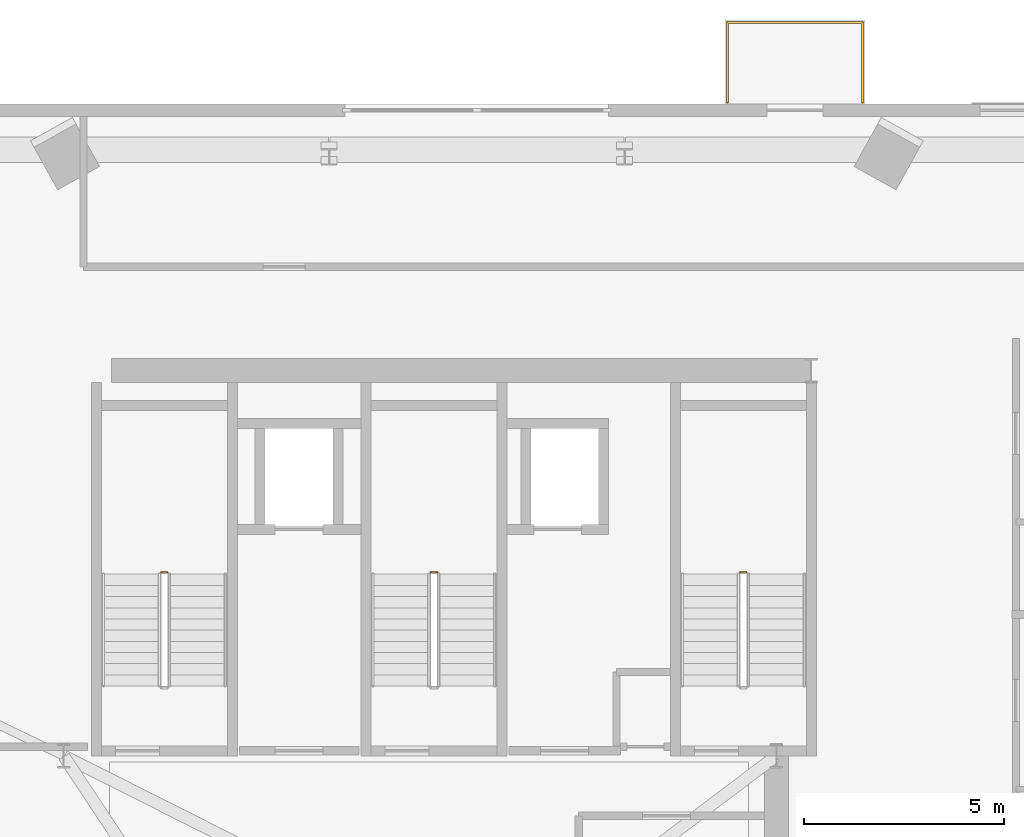
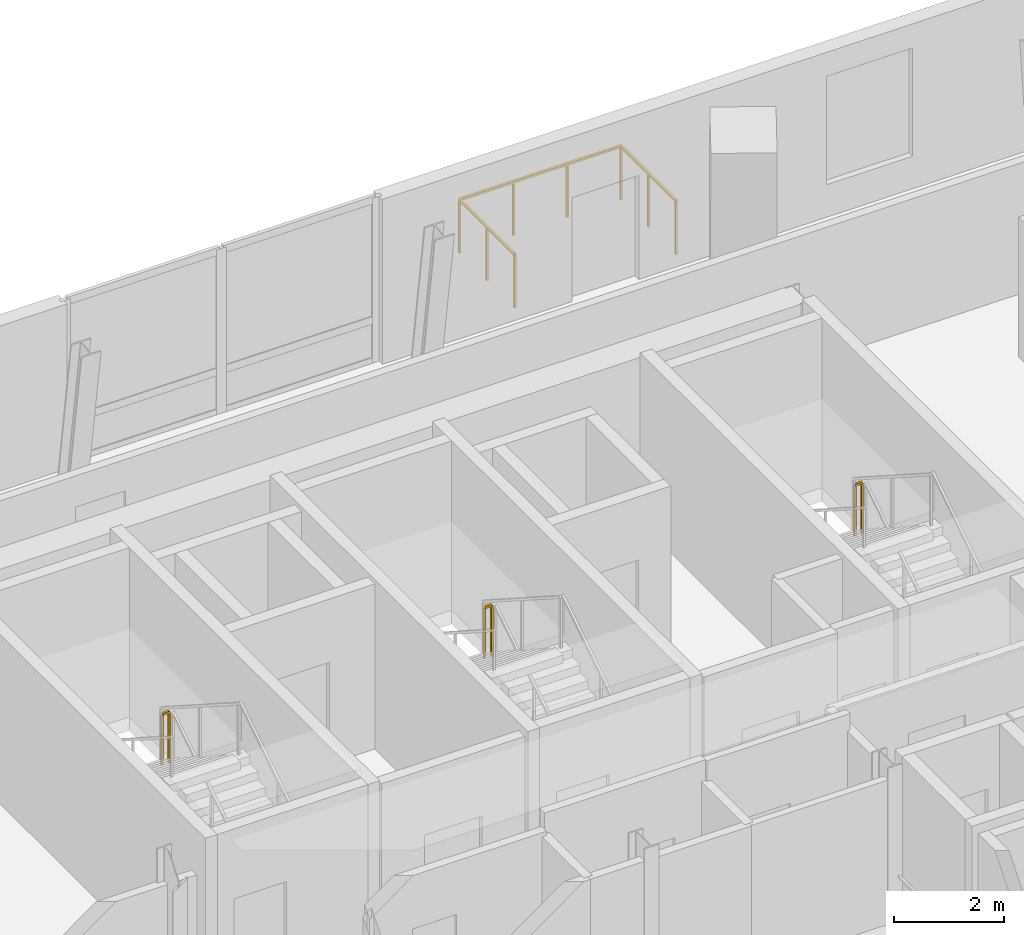
# One storey, part 14 of 14: 4 railings.
"""IFC4 building model written with IfcOpenShell, lengths in metres."""

from ifc_helpers import new_model, si_unit, direction, frame, origin, origin_2d, place, context, subcontext, project, spatial, rectangle, extrude, source, transform, mapped, material, type_object, element, save


model = new_model("IFC4")

# Units and contexts
model_context = context("Model", 3, precision=1e-05, world=origin(), true_north=direction((0.0, 1.0)))
body_context = subcontext(model_context, "Body", "Model", "MODEL_VIEW")
ifc_project = project(units=[si_unit("LENGTHUNIT", "METRE"), si_unit("AREAUNIT", "SQUARE_METRE"), si_unit("VOLUMEUNIT", "CUBIC_METRE"), si_unit("PLANEANGLEUNIT", "RADIAN"), si_unit("MASSUNIT", "GRAM", prefix="KILO")], contexts=[model_context])

# Site, building, storey
site_placement = place(None, origin())
site = spatial("IfcSite", under=ifc_project, at=site_placement, CompositionType="ELEMENT")
building_placement = place(site_placement, origin())
building = spatial("IfcBuilding", under=site, at=building_placement, Name="Vardaveli Station Tower", CompositionType="ELEMENT")
storey_placement = place(building_placement, frame((0.0, 0.0, 266.39990234375)))
storey = spatial("IfcBuildingStorey", under=building, at=storey_placement, Name="L68", CompositionType="ELEMENT", Elevation=266.39990234375)

# Railings
ifc_material_1 = material(Name="Laminated glass and stainless steel balustrade", Category="steel")
railing_type_1 = type_object("IfcRailingType", Name="RL-BAL-1200", PredefinedType="BALUSTRADE", material=ifc_material_1)
shared_shape_1 = source(origin(), body_context, "Body", "SweptSolid", [
    extrude(rectangle(XDim=0.048095703125, YDim=0.048095703125, at=origin_2d()), frame((0.0, 0.0, 1.17578125), z_axis=(0.0, 1.0, 0.0), x_axis=(-1.0, 0.0, 0.0)), (0.0, 0.0, 1.0), 2.0),
    extrude(rectangle(XDim=0.048095703125, YDim=0.048095703125, at=origin_2d()), frame((0.0, 2.0, 1.17578125), z_axis=(1.0, 0.0, 0.0), x_axis=(0.0, 1.0, 0.0)), (0.0, 0.0, 1.0), 3.3798828125),
    extrude(rectangle(XDim=0.048095703125, YDim=0.048095703125, at=origin_2d()), frame((3.3798828125, 2.0, 1.17578125), z_axis=(0.0, -1.0, 0.0), x_axis=(1.0, 0.0, 0.0)), (0.0, 0.0, 1.0), 2.0),
    extrude(rectangle(XDim=0.0419921875, YDim=0.0419921875, at=origin_2d()), origin(), (0.0, 0.0, 1.0), 1.15185546875),
    extrude(rectangle(XDim=0.0419921875, YDim=0.0419921875, at=origin_2d()), frame((0.0, 1.0, 0.0)), (0.0, 0.0, 1.0), 1.15185546875),
    extrude(rectangle(XDim=0.0419921875, YDim=0.0419921875, at=origin_2d()), frame((0.0, 2.0, 0.0)), (0.0, 0.0, 1.0), 1.15185546875),
    extrude(rectangle(XDim=0.0419921875, YDim=0.0419921875, at=origin_2d()), frame((1.126708984375, 2.0, 0.0)), (0.0, 0.0, 1.0), 1.15185546875),
    extrude(rectangle(XDim=0.0419921875, YDim=0.0419921875, at=origin_2d()), frame((2.253173828125, 2.0, 0.0)), (0.0, 0.0, 1.0), 1.15185546875),
    extrude(rectangle(XDim=0.0419921875, YDim=0.0419921875, at=origin_2d()), frame((3.3798828125, 2.0, 0.0)), (0.0, 0.0, 1.0), 1.15185546875),
    extrude(rectangle(XDim=0.0419921875, YDim=0.0419921875, at=origin_2d()), frame((3.3798828125, 1.0, 0.0)), (0.0, 0.0, 1.0), 1.15185546875),
    extrude(rectangle(XDim=0.0419921875, YDim=0.0419921875, at=origin_2d()), frame((3.3798828125, 0.0, 0.0)), (0.0, 0.0, 1.0), 1.15185546875),
])
railing_placement = place(storey_placement, frame((45.277587890625, 47.02001953125, 0.0)))
element("IfcRailing", 1, at=railing_placement, inside=storey, type_object=railing_type_1, Name="RL-LOG-L68-02", PredefinedType="BALUSTRADE", context=body_context, shape_type="MappedRepresentation", body=[
    mapped(shared_shape_1, transform((0.0, 0.0, 0.0), scale=1.0)),
])
ifc_material_2 = material(Name="Brushed AISI 316 stainless steel", Category="steel")
railing_type_2 = type_object("IfcRailingType", Name="RL-GUARD-1150", PredefinedType="GUARDRAIL", material=ifc_material_2)
shared_shape_2 = source(origin(), body_context, "Body", "SweptSolid", [
    extrude(rectangle(XDim=0.048095703125, YDim=0.048095703125, at=origin_2d()), frame((0.0, 0.0, 1.1259765625), z_axis=(-1.0, 0.0, 0.0), x_axis=(0.0, -1.0, 0.0)), (0.0, 0.0, 1.0), 0.14990234375),
    extrude(rectangle(XDim=0.0419921875, YDim=0.0419921875, at=origin_2d()), origin(), (0.0, 0.0, 1.0), 1.101806640625),
    extrude(rectangle(XDim=0.0419921875, YDim=0.0419921875, at=origin_2d()), frame((-0.14990234375, 0.0, 0.0)), (0.0, 0.0, 1.0), 1.101806640625),
])
for number, where, name in (
    (2, (31.25, 35.25, 1.97509765625), "L68 ST-1 stair guard 2"),
    (3, (38.0, 35.25, 1.97509765625), "L68 ST-2 stair guard 2"),
    (4, (45.75, 35.25, 1.97509765625), "L68 ST-3 stair guard 2"),
):
    element("IfcRailing", number, at=place(storey_placement, frame(where)), inside=storey, type_object=railing_type_2, Name=name, PredefinedType="GUARDRAIL", context=body_context, shape_type="MappedRepresentation", body=[
        mapped(shared_shape_2, transform((0.0, 0.0, 0.0), scale=1.0)),
    ])

save(model, "model.ifc")
